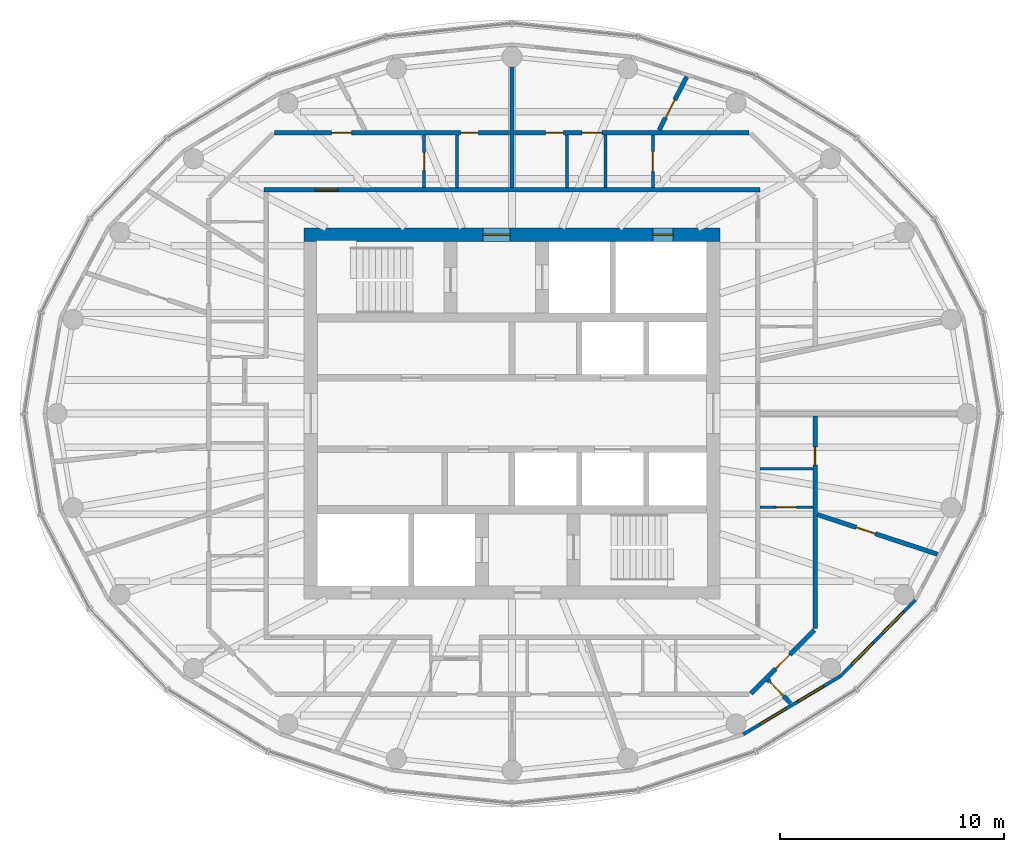
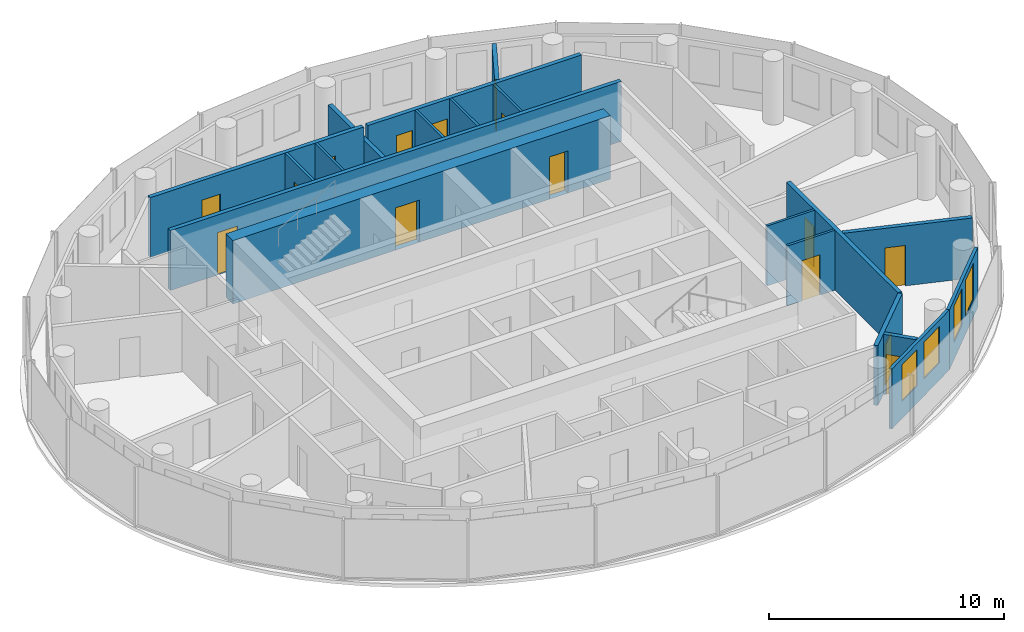
# One storey, part 8 of 11: 19 walls, 15 doors, 4 windows, 19 openings.
"""IFC4 building model written with IfcOpenShell, lengths in metres."""

from ifc_helpers import new_model, si_unit, direction, frame, frame_2d, origin, place, context, subcontext, project, spatial, rectangle, extrude, material, layer, layer_set, type_object, element, fill, save


model = new_model("IFC4")

# Units and contexts
model_context = context("Model", 3, precision=1e-05, world=origin(), true_north=direction((0.0, 1.0)))
body_context = subcontext(model_context, "Body", "Model", "MODEL_VIEW")
ifc_project = project(units=[si_unit("LENGTHUNIT", "METRE"), si_unit("AREAUNIT", "SQUARE_METRE"), si_unit("VOLUMEUNIT", "CUBIC_METRE"), si_unit("PLANEANGLEUNIT", "RADIAN"), si_unit("MASSUNIT", "GRAM", prefix="KILO")], contexts=[model_context])

# Site, building, storey
site_placement = place(None, origin())
site = spatial("IfcSite", under=ifc_project, at=site_placement, CompositionType="ELEMENT")
building_placement = place(site_placement, origin())
building = spatial("IfcBuilding", under=site, at=building_placement, Name="Hankou Lantern Tower", CompositionType="ELEMENT")
storey_placement = place(building_placement, frame((0.0, 0.0, 196.199951171875)))
storey = spatial("IfcBuildingStorey", under=building, at=storey_placement, Name="L52", CompositionType="ELEMENT", Elevation=196.199951171875)

# Wall, openings, doors
ifc_material_1 = material(Name="Concrete C60", Category="concrete")
ifc_layer_1 = layer(ifc_material_1, 0.60009765625)
ifc_layer_set_1 = layer_set([ifc_layer_1], Name="Concrete C60")
wall_type_1 = type_object("IfcWallType", Name="CW3 CORE WALL 600", PredefinedType="SHEAR", material=ifc_layer_set_1)
wall_1_placement = place(storey_placement, frame((-9.300048828125, 8.0, 0.0), z_axis=(0.0, 0.0, 1.0), x_axis=(1.0, 0.0, 0.0)))
wall_1 = element("IfcWall", 1, at=wall_1_placement, inside=storey, type_object=wall_type_1, Name="Core wall north L52", PredefinedType="SHEAR", context=body_context, shape_type="SweptSolid", body=[
    extrude(rectangle(XDim=18.60009765625, YDim=0.60009765625, at=frame_2d((9.300048828125, 0.0))), origin(), (0.0, 0.0, 1.0), 3.300048828125),
])
opening_1_placement = place(wall_1_placement, frame((8.0, 0.0, 0.0)))
opening_1 = element("IfcOpeningElement", 2, at=opening_1_placement, cuts=wall_1, Name="Opening D5", PredefinedType="OPENING", context=body_context, shape_type="SweptSolid", body=[
    extrude(rectangle(XDim=1.199951171875, YDim=2.199951171875, at=frame_2d((0.60009765625, 1.10009765625))), frame((0.0, 0.31005859375, 0.0), z_axis=(0.0, -1.0, 0.0), x_axis=(1.0, 0.0, 0.0)), (0.0, 0.0, 1.0), 0.6201171875),
])
opening_2_placement = place(wall_1_placement, frame((15.60009765625, 0.0, 0.0)))
opening_2 = element("IfcOpeningElement", 3, at=opening_2_placement, cuts=wall_1, Name="Opening D7", PredefinedType="OPENING", context=body_context, shape_type="SweptSolid", body=[
    extrude(rectangle(XDim=0.89990234375, YDim=2.199951171875, at=frame_2d((0.449951171875, 1.10009765625))), frame((0.0, 0.31005859375, 0.0), z_axis=(0.0, -1.0, 0.0), x_axis=(1.0, 0.0, 0.0)), (0.0, 0.0, 1.0), 0.6201171875),
])
ifc_material_2 = material(Name="Steel door leaf", Category="steel")
door_type_1 = type_object("IfcDoorType", Name="D5 STAIR LOBBY DOOR 1200X2200", OperationType="SINGLE_SWING_LEFT", PredefinedType="DOOR", material=ifc_material_2)
door_1_placement = place(opening_1_placement, origin())
door_1 = element("IfcDoor", 4, at=door_1_placement, inside=storey, type_object=door_type_1, Name="Stair A lobby door", OperationType="SINGLE_SWING_LEFT", OverallHeight=2.199951171875, OverallWidth=1.199951171875, PredefinedType="DOOR", context=body_context, shape_type="SweptSolid", body=[
    extrude(rectangle(XDim=1.199951171875, YDim=2.199951171875, at=frame_2d((0.60009765625, 1.10009765625))), frame((0.0, 0.02490234375, 0.0), z_axis=(0.0, -1.0, 0.0), x_axis=(1.0, 0.0, 0.0)), (0.0, 0.0, 1.0), 0.050048828125),
])
fill(opening_1, door_1)
ifc_material_3 = material(Name="Steel door leaf", Category="steel")
door_type_2 = type_object("IfcDoorType", Name="D7 RISER DOOR 900X2200", OperationType="SINGLE_SWING_LEFT", PredefinedType="DOOR", material=ifc_material_3)
door_2_placement = place(opening_2_placement, origin())
door_2 = element("IfcDoor", 5, at=door_2_placement, inside=storey, type_object=door_type_2, Name="Riser N1 door", OperationType="SINGLE_SWING_RIGHT", OverallHeight=2.199951171875, OverallWidth=0.89990234375, PredefinedType="DOOR", context=body_context, shape_type="SweptSolid", body=[
    extrude(rectangle(XDim=0.89990234375, YDim=2.199951171875, at=frame_2d((0.449951171875, 1.10009765625))), frame((0.0, 0.02490234375, 0.0), z_axis=(0.0, -1.0, 0.0), x_axis=(1.0, 0.0, 0.0)), (0.0, 0.0, 1.0), 0.050048828125),
])
fill(opening_2, door_2)

# Wall, openings, windows
ifc_material_4 = material(Name="Aluminium spandrel panel on steel studs", Category="steel")
ifc_layer_2 = layer(ifc_material_4, 0.14990234375)
ifc_layer_set_2 = layer_set([ifc_layer_2], Name="Aluminium spandrel panel on steel studs")
wall_type_2 = type_object("IfcWallType", Name="EW1 INNER SKIN WALL 150", PredefinedType="ELEMENTEDWALL", material=ifc_layer_set_2)
wall_2_placement = place(storey_placement, frame((10.346435546875, -14.33642578125, 0.0), z_axis=(0.0, 0.0, 1.0), x_axis=(0.85822150553, 0.513279502265, 0.0)))
wall_2 = element("IfcWall", 6, at=wall_2_placement, inside=storey, type_object=wall_type_2, Name="Inner skin R21-R22 L52", PredefinedType="ELEMENTEDWALL", context=body_context, shape_type="SweptSolid", body=[
    extrude(rectangle(XDim=5.050048828125, YDim=0.14990234375, at=frame_2d((2.52490234375, 0.0))), origin(), (0.0, 0.0, 1.0), 3.1201171875),
])
opening_3_placement = place(wall_2_placement, frame((0.875, 0.0, 0.89990234375)))
opening_3 = element("IfcOpeningElement", 7, at=opening_3_placement, cuts=wall_2, Name="Opening W4", PredefinedType="OPENING", context=body_context, shape_type="SweptSolid", body=[
    extrude(rectangle(XDim=1.35009765625, YDim=1.89990234375, at=frame_2d((0.675048828125, 0.949951171875))), frame((0.0, 0.0849609375, 0.0), z_axis=(0.0, -1.0, 0.0), x_axis=(1.0, 0.0, 0.0)), (0.0, 0.0, 1.0), 0.169921875),
])
opening_4_placement = place(wall_2_placement, frame((2.824951171875, 0.0, 0.89990234375)))
opening_4 = element("IfcOpeningElement", 8, at=opening_4_placement, cuts=wall_2, Name="Opening W4", PredefinedType="OPENING", context=body_context, shape_type="SweptSolid", body=[
    extrude(rectangle(XDim=1.35009765625, YDim=1.89990234375, at=frame_2d((0.675048828125, 0.949951171875))), frame((0.0, 0.0849609375, 0.0), z_axis=(0.0, -1.0, 0.0), x_axis=(1.0, 0.0, 0.0)), (0.0, 0.0, 1.0), 0.169921875),
])
ifc_material_5 = material(Name="Aluminium framed double glazed window", Category="aluminium")
window_type = type_object("IfcWindowType", Name="W4 SUITE WINDOW 1350X1900", PartitioningType="DOUBLE_PANEL_VERTICAL", PredefinedType="WINDOW", material=ifc_material_5)
window_1_placement = place(opening_3_placement, origin())
window_1 = element("IfcWindow", 9, at=window_1_placement, inside=storey, type_object=window_type, Name="Window R21.1 L52", OverallHeight=1.89990234375, OverallWidth=1.35009765625, PartitioningType="SINGLE_PANEL", PredefinedType="WINDOW", context=body_context, shape_type="SweptSolid", body=[
    extrude(rectangle(XDim=1.35009765625, YDim=1.89990234375, at=frame_2d((0.675048828125, 0.949951171875))), frame((0.0, 0.030029296875, 0.0), z_axis=(0.0, -1.0, 0.0), x_axis=(1.0, 0.0, 0.0)), (0.0, 0.0, 1.0), 0.06005859375),
])
fill(opening_3, window_1)
window_2_placement = place(opening_4_placement, origin())
window_2 = element("IfcWindow", 10, at=window_2_placement, inside=storey, type_object=window_type, Name="Window R21.2 L52", OverallHeight=1.89990234375, OverallWidth=1.35009765625, PartitioningType="SINGLE_PANEL", PredefinedType="WINDOW", context=body_context, shape_type="SweptSolid", body=[
    extrude(rectangle(XDim=1.35009765625, YDim=1.89990234375, at=frame_2d((0.675048828125, 0.949951171875))), frame((0.0, 0.030029296875, 0.0), z_axis=(0.0, -1.0, 0.0), x_axis=(1.0, 0.0, 0.0)), (0.0, 0.0, 1.0), 0.06005859375),
])
fill(opening_4, window_2)

wall_3_placement = place(storey_placement, frame((14.680419921875, -11.744384765625, 0.0), z_axis=(0.0, 0.0, 1.0), x_axis=(0.701527379618, 0.712642501993, 0.0)))
wall_3 = element("IfcWall", 11, at=wall_3_placement, inside=storey, type_object=wall_type_2, Name="Inner skin R22-R23 L52", PredefinedType="ELEMENTEDWALL", context=body_context, shape_type="SweptSolid", body=[
    extrude(rectangle(XDim=4.788330078125, YDim=0.14990234375, at=frame_2d((2.39404296875, 0.0))), origin(), (0.0, 0.0, 1.0), 3.1201171875),
])
opening_5_placement = place(wall_3_placement, frame((0.744140625, 0.0, 0.89990234375)))
opening_5 = element("IfcOpeningElement", 12, at=opening_5_placement, cuts=wall_3, Name="Opening W4", PredefinedType="OPENING", context=body_context, shape_type="SweptSolid", body=[
    extrude(rectangle(XDim=1.35009765625, YDim=1.89990234375, at=frame_2d((0.675048828125, 0.949951171875))), frame((0.0, 0.0849609375, 0.0), z_axis=(0.0, -1.0, 0.0), x_axis=(1.0, 0.0, 0.0)), (0.0, 0.0, 1.0), 0.169921875),
])
opening_6_placement = place(wall_3_placement, frame((2.694091796875, 0.0, 0.89990234375)))
opening_6 = element("IfcOpeningElement", 13, at=opening_6_placement, cuts=wall_3, Name="Opening W4", PredefinedType="OPENING", context=body_context, shape_type="SweptSolid", body=[
    extrude(rectangle(XDim=1.35009765625, YDim=1.89990234375, at=frame_2d((0.675048828125, 0.949951171875))), frame((0.0, 0.0849609375, 0.0), z_axis=(0.0, -1.0, 0.0), x_axis=(1.0, 0.0, 0.0)), (0.0, 0.0, 1.0), 0.169921875),
])
window_3_placement = place(opening_5_placement, origin())
window_3 = element("IfcWindow", 14, at=window_3_placement, inside=storey, type_object=window_type, Name="Window R22.1 L52", OverallHeight=1.89990234375, OverallWidth=1.35009765625, PartitioningType="SINGLE_PANEL", PredefinedType="WINDOW", context=body_context, shape_type="SweptSolid", body=[
    extrude(rectangle(XDim=1.35009765625, YDim=1.89990234375, at=frame_2d((0.675048828125, 0.949951171875))), frame((0.0, 0.030029296875, 0.0), z_axis=(0.0, -1.0, 0.0), x_axis=(1.0, 0.0, 0.0)), (0.0, 0.0, 1.0), 0.06005859375),
])
fill(opening_5, window_3)
window_4_placement = place(opening_6_placement, origin())
window_4 = element("IfcWindow", 15, at=window_4_placement, inside=storey, type_object=window_type, Name="Window R22.2 L52", OverallHeight=1.89990234375, OverallWidth=1.35009765625, PartitioningType="SINGLE_PANEL", PredefinedType="WINDOW", context=body_context, shape_type="SweptSolid", body=[
    extrude(rectangle(XDim=1.35009765625, YDim=1.89990234375, at=frame_2d((0.675048828125, 0.949951171875))), frame((0.0, 0.030029296875, 0.0), z_axis=(0.0, -1.0, 0.0), x_axis=(1.0, 0.0, 0.0)), (0.0, 0.0, 1.0), 0.06005859375),
])
fill(opening_6, window_4)

# Wall
ifc_material_6 = material(Name="Masonry lightweight concrete block", Category="masonry")
ifc_layer_3 = layer(ifc_material_6, 0.199951171875)
ifc_layer_set_3 = layer_set([ifc_layer_3], Name="Masonry lightweight concrete block")
wall_type_3 = type_object("IfcWallType", Name="IW1 GUEST ROOM PARTY WALL 200", PredefinedType="PARTITIONING", material=ifc_layer_set_3)
wall_4_placement = place(storey_placement, frame((0.0, 10.10009765625, 0.0), z_axis=(0.0, 0.0, 1.0), x_axis=(0.0, 1.0, 0.0)))
element("IfcWall", 16, at=wall_4_placement, inside=storey, type_object=wall_type_3, Name="Party wall R07", PredefinedType="PARTITIONING", context=body_context, shape_type="SweptSolid", body=[
    extrude(rectangle(XDim=5.39990234375, YDim=0.199951171875, at=frame_2d((2.699951171875, 0.0))), origin(), (0.0, 0.0, 1.0), 2.420166015625),
])

# Wall, opening, door
ifc_material_7 = material(Name="Masonry lightweight concrete block", Category="masonry")
ifc_layer_4 = layer(ifc_material_7, 0.199951171875)
ifc_layer_set_4 = layer_set([ifc_layer_4], Name="Masonry lightweight concrete block")
wall_type_4 = type_object("IfcWallType", Name="IW2 CORRIDOR WALL 200", PredefinedType="PARTITIONING", material=ifc_layer_set_4)
wall_5_placement = place(storey_placement, frame((-11.10009765625, 10.0, 0.0), z_axis=(0.0, 0.0, 1.0), x_axis=(1.0, 0.0, 0.0)))
wall_5 = element("IfcWall", 17, at=wall_5_placement, inside=storey, type_object=wall_type_4, Name="Corridor wall north", PredefinedType="PARTITIONING", context=body_context, shape_type="SweptSolid", body=[
    extrude(rectangle(XDim=22.2001953125, YDim=0.199951171875, at=frame_2d((11.10009765625, 0.0))), origin(), (0.0, 0.0, 1.0), 3.1201171875),
])
opening_7_placement = place(wall_5_placement, frame((2.30908203125, 0.0, 0.0)))
opening_7 = element("IfcOpeningElement", 18, at=opening_7_placement, cuts=wall_5, Name="Opening D2", PredefinedType="OPENING", context=body_context, shape_type="SweptSolid", body=[
    extrude(rectangle(XDim=1.0, YDim=2.199951171875, at=frame_2d((0.5, 1.10009765625))), frame((0.0, 0.10986328125, 0.0), z_axis=(0.0, -1.0, 0.0), x_axis=(1.0, 0.0, 0.0)), (0.0, 0.0, 1.0), 0.219970703125),
])
ifc_material_8 = material(Name="Steel door leaf", Category="steel")
door_type_3 = type_object("IfcDoorType", Name="D2 SUITE DOOR 1000X2200", OperationType="SINGLE_SWING_LEFT", PredefinedType="DOOR", material=ifc_material_8)
door_3_placement = place(opening_7_placement, origin())
door_3 = element("IfcDoor", 19, at=door_3_placement, inside=storey, type_object=door_type_3, Name="Suite door 5203", OperationType="SINGLE_SWING_RIGHT", OverallHeight=2.199951171875, OverallWidth=1.0, PredefinedType="DOOR", context=body_context, shape_type="SweptSolid", body=[
    extrude(rectangle(XDim=1.0, YDim=2.199951171875, at=frame_2d((0.5, 1.10009765625))), frame((0.0, 0.02490234375, 0.0), z_axis=(0.0, -1.0, 0.0), x_axis=(1.0, 0.0, 0.0)), (0.0, 0.0, 1.0), 0.050048828125),
])
fill(opening_7, door_3)

ifc_material_9 = material(Name="Masonry lightweight concrete block", Category="masonry")
ifc_layer_5 = layer(ifc_material_9, 0.1201171875)
ifc_layer_set_5 = layer_set([ifc_layer_5], Name="Masonry lightweight concrete block")
wall_type_5 = type_object("IfcWallType", Name="IW3 BATHROOM WALL 120", PredefinedType="PARTITIONING", material=ifc_layer_set_5)
wall_6_placement = place(storey_placement, frame((6.301025390625, 10.10009765625, 0.0), z_axis=(0.0, 0.0, 1.0), x_axis=(0.0, 1.0, 0.0)))
wall_6 = element("IfcWall", 20, at=wall_6_placement, inside=storey, type_object=wall_type_5, Name="Box wall 5202 2", PredefinedType="PARTITIONING", context=body_context, shape_type="SweptSolid", body=[
    extrude(rectangle(XDim=2.349853515625, YDim=0.1201171875, at=frame_2d((1.1748046875, 0.0))), origin(), (0.0, 0.0, 1.0), 3.1201171875),
])
opening_8_placement = place(wall_6_placement, frame((0.719970703125, 0.0, 0.0)))
opening_8 = element("IfcOpeningElement", 21, at=opening_8_placement, cuts=wall_6, Name="Opening D27", PredefinedType="OPENING", context=body_context, shape_type="SweptSolid", body=[
    extrude(rectangle(XDim=0.89990234375, YDim=2.10009765625, at=frame_2d((0.449951171875, 1.050048828125))), frame((0.0, 0.070068359375, 0.0), z_axis=(0.0, -1.0, 0.0), x_axis=(1.0, 0.0, 0.0)), (0.0, 0.0, 1.0), 0.14013671875),
])
ifc_material_10 = material(Name="Timber door leaf", Category="wood")
door_type_4 = type_object("IfcDoorType", Name="D27 INTERNAL DOOR 900X2100", OperationType="SINGLE_SWING_LEFT", PredefinedType="DOOR", material=ifc_material_10)
door_4_placement = place(opening_8_placement, origin())
door_4 = element("IfcDoor", 22, at=door_4_placement, inside=storey, type_object=door_type_4, Name="Corner suite 5202 pantry door", OperationType="SINGLE_SWING_LEFT", OverallHeight=2.10009765625, OverallWidth=0.89990234375, PredefinedType="DOOR", context=body_context, shape_type="SweptSolid", body=[
    extrude(rectangle(XDim=0.89990234375, YDim=2.10009765625, at=frame_2d((0.449951171875, 1.050048828125))), frame((0.0, 0.02490234375, 0.0), z_axis=(0.0, -1.0, 0.0), x_axis=(1.0, 0.0, 0.0)), (0.0, 0.0, 1.0), 0.050048828125),
])
fill(opening_8, door_4)

# Walls
for number, where, z_axis, x_axis, name in (
    (23, (4.180908203125, 10.10009765625, 0.0), (0.0, 0.0, 1.0), (0.0, 1.0, 0.0), "Box wall 5202 3"),
    (24, (2.4609375, 10.10009765625, 0.0), (0.0, 0.0, 1.0), (0.0, 1.0, 0.0), "Box wall 5202 4"),
    (25, (-2.4609375, 10.10009765625, 0.0), (0.0, 0.0, 1.0), (0.0, 1.0, 0.0), "Box wall 5203 1"),
):
    element("IfcWall", number, at=place(storey_placement, frame(where, z_axis=z_axis, x_axis=x_axis)), inside=storey, type_object=wall_type_5, Name=name, PredefinedType="PARTITIONING", context=body_context, shape_type="SweptSolid", body=[
        extrude(rectangle(XDim=2.349853515625, YDim=0.1201171875, at=frame_2d((1.1748046875, 0.0))), origin(), (0.0, 0.0, 1.0), 3.1201171875),
    ])

# Wall, opening, door
wall_7_placement = place(storey_placement, frame((-3.930908203125, 10.10009765625, 0.0), z_axis=(0.0, 0.0, 1.0), x_axis=(0.0, 1.0, 0.0)))
wall_7 = element("IfcWall", 26, at=wall_7_placement, inside=storey, type_object=wall_type_5, Name="Box wall 5203 2", PredefinedType="PARTITIONING", context=body_context, shape_type="SweptSolid", body=[
    extrude(rectangle(XDim=2.349853515625, YDim=0.1201171875, at=frame_2d((1.1748046875, 0.0))), origin(), (0.0, 0.0, 1.0), 3.1201171875),
])
opening_9_placement = place(wall_7_placement, frame((0.77001953125, 0.0, 0.0)))
opening_9 = element("IfcOpeningElement", 27, at=opening_9_placement, cuts=wall_7, Name="Opening D3", PredefinedType="OPENING", context=body_context, shape_type="SweptSolid", body=[
    extrude(rectangle(XDim=0.800048828125, YDim=2.10009765625, at=frame_2d((0.39990234375, 1.050048828125))), frame((0.0, 0.070068359375, 0.0), z_axis=(0.0, -1.0, 0.0), x_axis=(1.0, 0.0, 0.0)), (0.0, 0.0, 1.0), 0.14013671875),
])
ifc_material_11 = material(Name="Timber door leaf", Category="wood")
door_type_5 = type_object("IfcDoorType", Name="D3 BATHROOM DOOR 800X2100", OperationType="SINGLE_SWING_LEFT", PredefinedType="DOOR", material=ifc_material_11)
door_5_placement = place(opening_9_placement, origin())
door_5 = element("IfcDoor", 28, at=door_5_placement, inside=storey, type_object=door_type_5, Name="Suite 5203 guest WC door", OperationType="SINGLE_SWING_LEFT", OverallHeight=2.10009765625, OverallWidth=0.800048828125, PredefinedType="DOOR", context=body_context, shape_type="SweptSolid", body=[
    extrude(rectangle(XDim=0.800048828125, YDim=2.10009765625, at=frame_2d((0.39990234375, 1.050048828125))), frame((0.0, 0.02490234375, 0.0), z_axis=(0.0, -1.0, 0.0), x_axis=(1.0, 0.0, 0.0)), (0.0, 0.0, 1.0), 0.050048828125),
])
fill(opening_9, door_5)

wall_8_placement = place(storey_placement, frame((11.10009765625, -4.180908203125, 0.0), z_axis=(0.0, 0.0, 1.0), x_axis=(1.0, 0.0, 0.0)))
wall_8 = element("IfcWall", 29, at=wall_8_placement, inside=storey, type_object=wall_type_5, Name="Box wall 5207 3", PredefinedType="PARTITIONING", context=body_context, shape_type="SweptSolid", body=[
    extrude(rectangle(XDim=2.349853515625, YDim=0.1201171875, at=frame_2d((1.1748046875, 0.0))), origin(), (0.0, 0.0, 1.0), 3.1201171875),
])
opening_10_placement = place(wall_8_placement, frame((0.719970703125, 0.0, 0.0)))
opening_10 = element("IfcOpeningElement", 30, at=opening_10_placement, cuts=wall_8, Name="Opening D27", PredefinedType="OPENING", context=body_context, shape_type="SweptSolid", body=[
    extrude(rectangle(XDim=0.89990234375, YDim=2.10009765625, at=frame_2d((0.449951171875, 1.050048828125))), frame((0.0, 0.070068359375, 0.0), z_axis=(0.0, -1.0, 0.0), x_axis=(1.0, 0.0, 0.0)), (0.0, 0.0, 1.0), 0.14013671875),
])
door_6_placement = place(opening_10_placement, origin())
door_6 = element("IfcDoor", 31, at=door_6_placement, inside=storey, type_object=door_type_4, Name="Family suite 5207 walk-in wardrobe door", OperationType="SINGLE_SWING_LEFT", OverallHeight=2.10009765625, OverallWidth=0.89990234375, PredefinedType="DOOR", context=body_context, shape_type="SweptSolid", body=[
    extrude(rectangle(XDim=0.89990234375, YDim=2.10009765625, at=frame_2d((0.449951171875, 1.050048828125))), frame((0.0, 0.02490234375, 0.0), z_axis=(0.0, -1.0, 0.0), x_axis=(1.0, 0.0, 0.0)), (0.0, 0.0, 1.0), 0.050048828125),
])
fill(opening_10, door_6)

# Wall
wall_9_placement = place(storey_placement, frame((11.10009765625, -2.4609375, 0.0), z_axis=(0.0, 0.0, 1.0), x_axis=(1.0, 0.0, 0.0)))
element("IfcWall", 32, at=wall_9_placement, inside=storey, type_object=wall_type_5, Name="Box wall 5207 4", PredefinedType="PARTITIONING", context=body_context, shape_type="SweptSolid", body=[
    extrude(rectangle(XDim=2.349853515625, YDim=0.1201171875, at=frame_2d((1.1748046875, 0.0))), origin(), (0.0, 0.0, 1.0), 3.1201171875),
])

# Wall, openings, doors
ifc_material_12 = material(Name="Masonry lightweight concrete block", Category="masonry")
ifc_layer_6 = layer(ifc_material_12, 0.199951171875)
ifc_layer_set_6 = layer_set([ifc_layer_6], Name="Masonry lightweight concrete block")
wall_type_6 = type_object("IfcWallType", Name="IW6 SUITE PARTITION 200", PredefinedType="PARTITIONING", material=ifc_layer_set_6)
wall_10_placement = place(storey_placement, frame((10.608642578125, 12.550048828125, 0.0), z_axis=(0.0, 0.0, 1.0), x_axis=(-1.0, 0.0, 0.0)))
wall_10 = element("IfcWall", 33, at=wall_10_placement, inside=storey, type_object=wall_type_6, Name="Suite foyer wall 5202", PredefinedType="PARTITIONING", context=body_context, shape_type="SweptSolid", body=[
    extrude(rectangle(XDim=10.507568359375, YDim=0.199951171875, at=frame_2d((5.25390625, 0.0))), origin(), (0.0, 0.0, 1.0), 3.1201171875),
])
opening_11_placement = place(wall_10_placement, frame((6.587646484375, 0.0, 0.0)))
opening_11 = element("IfcOpeningElement", 34, at=opening_11_placement, cuts=wall_10, Name="Opening D27", PredefinedType="OPENING", context=body_context, shape_type="SweptSolid", body=[
    extrude(rectangle(XDim=0.89990234375, YDim=2.10009765625, at=frame_2d((0.449951171875, 1.050048828125))), frame((0.0, 0.10986328125, 0.0), z_axis=(0.0, -1.0, 0.0), x_axis=(1.0, 0.0, 0.0)), (0.0, 0.0, 1.0), 0.219970703125),
])
opening_12_placement = place(wall_10_placement, frame((8.3076171875, 0.0, 0.0)))
opening_12 = element("IfcOpeningElement", 35, at=opening_12_placement, cuts=wall_10, Name="Opening D3", PredefinedType="OPENING", context=body_context, shape_type="SweptSolid", body=[
    extrude(rectangle(XDim=0.800048828125, YDim=2.10009765625, at=frame_2d((0.39990234375, 1.050048828125))), frame((0.0, 0.10986328125, 0.0), z_axis=(0.0, -1.0, 0.0), x_axis=(1.0, 0.0, 0.0)), (0.0, 0.0, 1.0), 0.219970703125),
])
door_7_placement = place(opening_11_placement, origin())
door_7 = element("IfcDoor", 36, at=door_7_placement, inside=storey, type_object=door_type_4, Name="Corner suite 5202 walk-in wardrobe door", OperationType="SINGLE_SWING_LEFT", OverallHeight=2.10009765625, OverallWidth=0.89990234375, PredefinedType="DOOR", context=body_context, shape_type="SweptSolid", body=[
    extrude(rectangle(XDim=0.89990234375, YDim=2.10009765625, at=frame_2d((0.449951171875, 1.050048828125))), frame((0.0, 0.02490234375, 0.0), z_axis=(0.0, -1.0, 0.0), x_axis=(1.0, 0.0, 0.0)), (0.0, 0.0, 1.0), 0.050048828125),
])
fill(opening_11, door_7)
door_8_placement = place(opening_12_placement, origin())
door_8 = element("IfcDoor", 37, at=door_8_placement, inside=storey, type_object=door_type_5, Name="Corner suite 5202 bathroom door", OperationType="SINGLE_SWING_LEFT", OverallHeight=2.10009765625, OverallWidth=0.800048828125, PredefinedType="DOOR", context=body_context, shape_type="SweptSolid", body=[
    extrude(rectangle(XDim=0.800048828125, YDim=2.10009765625, at=frame_2d((0.39990234375, 1.050048828125))), frame((0.0, 0.02490234375, 0.0), z_axis=(0.0, -1.0, 0.0), x_axis=(1.0, 0.0, 0.0)), (0.0, 0.0, 1.0), 0.050048828125),
])
fill(opening_12, door_8)

# Wall, opening, door
wall_11_placement = place(storey_placement, frame((6.578125, 12.676513671875, 0.0), z_axis=(0.0, 0.0, 1.0), x_axis=(0.460620531465, 0.887597164255, 0.0)))
wall_11 = element("IfcWall", 38, at=wall_11_placement, inside=storey, type_object=wall_type_6, Name="Suite partition R05-R06", PredefinedType="PARTITIONING", context=body_context, shape_type="SweptSolid", body=[
    extrude(rectangle(XDim=2.677734375, YDim=0.199951171875, at=frame_2d((1.3388671875, 0.0))), origin(), (0.0, 0.0, 1.0), 3.1201171875),
])
opening_13_placement = place(wall_11_placement, frame((0.6201171875, 0.0, 0.0)))
opening_13 = element("IfcOpeningElement", 39, at=opening_13_placement, cuts=wall_11, Name="Opening D27", PredefinedType="OPENING", context=body_context, shape_type="SweptSolid", body=[
    extrude(rectangle(XDim=0.89990234375, YDim=2.10009765625, at=frame_2d((0.449951171875, 1.050048828125))), frame((0.0, 0.10986328125, 0.0), z_axis=(0.0, -1.0, 0.0), x_axis=(1.0, 0.0, 0.0)), (0.0, 0.0, 1.0), 0.219970703125),
])
door_9_placement = place(opening_13_placement, origin())
door_9 = element("IfcDoor", 40, at=door_9_placement, inside=storey, type_object=door_type_4, Name="Corner suite 5202 bedroom door", OperationType="SINGLE_SWING_LEFT", OverallHeight=2.10009765625, OverallWidth=0.89990234375, PredefinedType="DOOR", context=body_context, shape_type="SweptSolid", body=[
    extrude(rectangle(XDim=0.89990234375, YDim=2.10009765625, at=frame_2d((0.449951171875, 1.050048828125))), frame((0.0, 0.02490234375, 0.0), z_axis=(0.0, -1.0, 0.0), x_axis=(1.0, 0.0, 0.0)), (0.0, 0.0, 1.0), 0.050048828125),
])
fill(opening_13, door_9)

# Wall, openings, doors
wall_12_placement = place(storey_placement, frame((-0.10107421875, 12.550048828125, 0.0), z_axis=(0.0, 0.0, 1.0), x_axis=(-1.0, 0.0, 0.0)))
wall_12 = element("IfcWall", 41, at=wall_12_placement, inside=storey, type_object=wall_type_6, Name="Suite foyer wall 5203", PredefinedType="PARTITIONING", context=body_context, shape_type="SweptSolid", body=[
    extrude(rectangle(XDim=10.507568359375, YDim=0.199951171875, at=frame_2d((5.25390625, 0.0))), origin(), (0.0, 0.0, 1.0), 3.1201171875),
])
opening_14_placement = place(wall_12_placement, frame((1.39990234375, 0.0, 0.0)))
opening_14 = element("IfcOpeningElement", 42, at=opening_14_placement, cuts=wall_12, Name="Opening D3", PredefinedType="OPENING", context=body_context, shape_type="SweptSolid", body=[
    extrude(rectangle(XDim=0.800048828125, YDim=2.10009765625, at=frame_2d((0.39990234375, 1.050048828125))), frame((0.0, 0.10986328125, 0.0), z_axis=(0.0, -1.0, 0.0), x_axis=(1.0, 0.0, 0.0)), (0.0, 0.0, 1.0), 0.219970703125),
])
opening_15_placement = place(wall_12_placement, frame((7.070068359375, 0.0, 0.0)))
opening_15 = element("IfcOpeningElement", 43, at=opening_15_placement, cuts=wall_12, Name="Opening D27", PredefinedType="OPENING", context=body_context, shape_type="SweptSolid", body=[
    extrude(rectangle(XDim=0.89990234375, YDim=2.10009765625, at=frame_2d((0.449951171875, 1.050048828125))), frame((0.0, 0.10986328125, 0.0), z_axis=(0.0, -1.0, 0.0), x_axis=(1.0, 0.0, 0.0)), (0.0, 0.0, 1.0), 0.219970703125),
])
door_10_placement = place(opening_15_placement, origin())
door_10 = element("IfcDoor", 44, at=door_10_placement, inside=storey, type_object=door_type_4, Name="Suite 5203 living room door", OperationType="SINGLE_SWING_LEFT", OverallHeight=2.10009765625, OverallWidth=0.89990234375, PredefinedType="DOOR", context=body_context, shape_type="SweptSolid", body=[
    extrude(rectangle(XDim=0.89990234375, YDim=2.10009765625, at=frame_2d((0.449951171875, 1.050048828125))), frame((0.0, 0.02490234375, 0.0), z_axis=(0.0, -1.0, 0.0), x_axis=(1.0, 0.0, 0.0)), (0.0, 0.0, 1.0), 0.050048828125),
])
fill(opening_15, door_10)
door_11_placement = place(opening_14_placement, origin())
door_11 = element("IfcDoor", 45, at=door_11_placement, inside=storey, type_object=door_type_5, Name="Suite 5203 bathroom door", OperationType="SINGLE_SWING_RIGHT", OverallHeight=2.10009765625, OverallWidth=0.800048828125, PredefinedType="DOOR", context=body_context, shape_type="SweptSolid", body=[
    extrude(rectangle(XDim=0.800048828125, YDim=2.10009765625, at=frame_2d((0.39990234375, 1.050048828125))), frame((0.0, 0.02490234375, 0.0), z_axis=(0.0, -1.0, 0.0), x_axis=(1.0, 0.0, 0.0)), (0.0, 0.0, 1.0), 0.050048828125),
])
fill(opening_14, door_11)

# Wall, opening, door
wall_13_placement = place(storey_placement, frame((10.67919921875, -12.520751953125, 0.0), z_axis=(0.0, 0.0, 1.0), x_axis=(0.707106781187, 0.707106781187, 0.0)))
wall_13 = element("IfcWall", 46, at=wall_13_placement, inside=storey, type_object=wall_type_6, Name="Suite foyer wall 5207", PredefinedType="PARTITIONING", context=body_context, shape_type="SweptSolid", body=[
    extrude(rectangle(XDim=4.0185546875, YDim=0.199951171875, at=frame_2d((2.00927734375, 0.0))), origin(), (0.0, 0.0, 1.0), 3.1201171875),
])
opening_16_placement = place(wall_13_placement, frame((1.570068359375, 0.0, 0.0)))
opening_16 = element("IfcOpeningElement", 47, at=opening_16_placement, cuts=wall_13, Name="Opening D27", PredefinedType="OPENING", context=body_context, shape_type="SweptSolid", body=[
    extrude(rectangle(XDim=0.89990234375, YDim=2.10009765625, at=frame_2d((0.449951171875, 1.050048828125))), frame((0.0, 0.10986328125, 0.0), z_axis=(0.0, -1.0, 0.0), x_axis=(1.0, 0.0, 0.0)), (0.0, 0.0, 1.0), 0.219970703125),
])
door_12_placement = place(opening_16_placement, origin())
door_12 = element("IfcDoor", 48, at=door_12_placement, inside=storey, type_object=door_type_4, Name="Family suite 5207 living room door", OperationType="SINGLE_SWING_RIGHT", OverallHeight=2.10009765625, OverallWidth=0.89990234375, PredefinedType="DOOR", context=body_context, shape_type="SweptSolid", body=[
    extrude(rectangle(XDim=0.89990234375, YDim=2.10009765625, at=frame_2d((0.449951171875, 1.050048828125))), frame((0.0, 0.02490234375, 0.0), z_axis=(0.0, -1.0, 0.0), x_axis=(1.0, 0.0, 0.0)), (0.0, 0.0, 1.0), 0.050048828125),
])
fill(opening_16, door_12)

wall_14_placement = place(storey_placement, frame((13.550048828125, -9.608642578125, 0.0), z_axis=(0.0, 0.0, 1.0), x_axis=(0.0, 1.0, 0.0)))
wall_14 = element("IfcWall", 49, at=wall_14_placement, inside=storey, type_object=wall_type_6, Name="Suite foyer wall 5207", PredefinedType="PARTITIONING", context=body_context, shape_type="SweptSolid", body=[
    extrude(rectangle(XDim=9.507568359375, YDim=0.199951171875, at=frame_2d((4.75390625, 0.0))), origin(), (0.0, 0.0, 1.0), 3.1201171875),
])
opening_17_placement = place(wall_14_placement, frame((7.3076171875, 0.0, 0.0)))
opening_17 = element("IfcOpeningElement", 50, at=opening_17_placement, cuts=wall_14, Name="Opening D3", PredefinedType="OPENING", context=body_context, shape_type="SweptSolid", body=[
    extrude(rectangle(XDim=0.800048828125, YDim=2.10009765625, at=frame_2d((0.39990234375, 1.050048828125))), frame((0.0, 0.10986328125, 0.0), z_axis=(0.0, -1.0, 0.0), x_axis=(1.0, 0.0, 0.0)), (0.0, 0.0, 1.0), 0.219970703125),
])
door_13_placement = place(opening_17_placement, origin())
door_13 = element("IfcDoor", 51, at=door_13_placement, inside=storey, type_object=door_type_5, Name="Family suite 5207 second bathroom door", OperationType="SINGLE_SWING_LEFT", OverallHeight=2.10009765625, OverallWidth=0.800048828125, PredefinedType="DOOR", context=body_context, shape_type="SweptSolid", body=[
    extrude(rectangle(XDim=0.800048828125, YDim=2.10009765625, at=frame_2d((0.39990234375, 1.050048828125))), frame((0.0, 0.02490234375, 0.0), z_axis=(0.0, -1.0, 0.0), x_axis=(1.0, 0.0, 0.0)), (0.0, 0.0, 1.0), 0.050048828125),
])
fill(opening_17, door_13)

wall_15_placement = place(storey_placement, frame((11.44091796875, -11.900390625, 0.0), z_axis=(0.0, 0.0, 1.0), x_axis=(0.692958717259, -0.720977264672, 0.0)))
wall_15 = element("IfcWall", 52, at=wall_15_placement, inside=storey, type_object=wall_type_6, Name="Suite partition R21-R22", PredefinedType="PARTITIONING", context=body_context, shape_type="SweptSolid", body=[
    extrude(rectangle(XDim=1.4638671875, YDim=0.199951171875, at=frame_2d((0.73193359375, 0.0))), origin(), (0.0, 0.0, 1.0), 3.1201171875),
])
opening_18_placement = place(wall_15_placement, frame((0.1201171875, 0.0, 0.0)))
opening_18 = element("IfcOpeningElement", 53, at=opening_18_placement, cuts=wall_15, Name="Opening D27", PredefinedType="OPENING", context=body_context, shape_type="SweptSolid", body=[
    extrude(rectangle(XDim=0.89990234375, YDim=2.10009765625, at=frame_2d((0.449951171875, 1.050048828125))), frame((0.0, 0.10986328125, 0.0), z_axis=(0.0, -1.0, 0.0), x_axis=(1.0, 0.0, 0.0)), (0.0, 0.0, 1.0), 0.219970703125),
])
door_14_placement = place(opening_18_placement, origin())
door_14 = element("IfcDoor", 54, at=door_14_placement, inside=storey, type_object=door_type_4, Name="Family suite 5207 bedroom door", OperationType="SINGLE_SWING_LEFT", OverallHeight=2.10009765625, OverallWidth=0.89990234375, PredefinedType="DOOR", context=body_context, shape_type="SweptSolid", body=[
    extrude(rectangle(XDim=0.89990234375, YDim=2.10009765625, at=frame_2d((0.449951171875, 1.050048828125))), frame((0.0, 0.02490234375, 0.0), z_axis=(0.0, -1.0, 0.0), x_axis=(1.0, 0.0, 0.0)), (0.0, 0.0, 1.0), 0.050048828125),
])
fill(opening_18, door_14)

wall_16_placement = place(storey_placement, frame((13.664306640625, -4.516357421875, 0.0), z_axis=(0.0, 0.0, 1.0), x_axis=(0.949481375941, -0.313823384632, 0.0)))
wall_16 = element("IfcWall", 55, at=wall_16_placement, inside=storey, type_object=wall_type_6, Name="Suite partition R23-R24", PredefinedType="PARTITIONING", context=body_context, shape_type="SweptSolid", body=[
    extrude(rectangle(XDim=5.637939453125, YDim=0.199951171875, at=frame_2d((2.81884765625, 0.0))), origin(), (0.0, 0.0, 1.0), 3.1201171875),
])
opening_19_placement = place(wall_16_placement, frame((1.820068359375, 0.0, 0.0)))
opening_19 = element("IfcOpeningElement", 56, at=opening_19_placement, cuts=wall_16, Name="Opening D27", PredefinedType="OPENING", context=body_context, shape_type="SweptSolid", body=[
    extrude(rectangle(XDim=0.89990234375, YDim=2.10009765625, at=frame_2d((0.449951171875, 1.050048828125))), frame((0.0, 0.10986328125, 0.0), z_axis=(0.0, -1.0, 0.0), x_axis=(1.0, 0.0, 0.0)), (0.0, 0.0, 1.0), 0.219970703125),
])
door_15_placement = place(opening_19_placement, origin())
door_15 = element("IfcDoor", 57, at=door_15_placement, inside=storey, type_object=door_type_4, Name="Family suite 5207 second bedroom door", OperationType="SINGLE_SWING_LEFT", OverallHeight=2.10009765625, OverallWidth=0.89990234375, PredefinedType="DOOR", context=body_context, shape_type="SweptSolid", body=[
    extrude(rectangle(XDim=0.89990234375, YDim=2.10009765625, at=frame_2d((0.449951171875, 1.050048828125))), frame((0.0, 0.02490234375, 0.0), z_axis=(0.0, -1.0, 0.0), x_axis=(1.0, 0.0, 0.0)), (0.0, 0.0, 1.0), 0.050048828125),
])
fill(opening_19, door_15)

save(model, "model.ifc")
